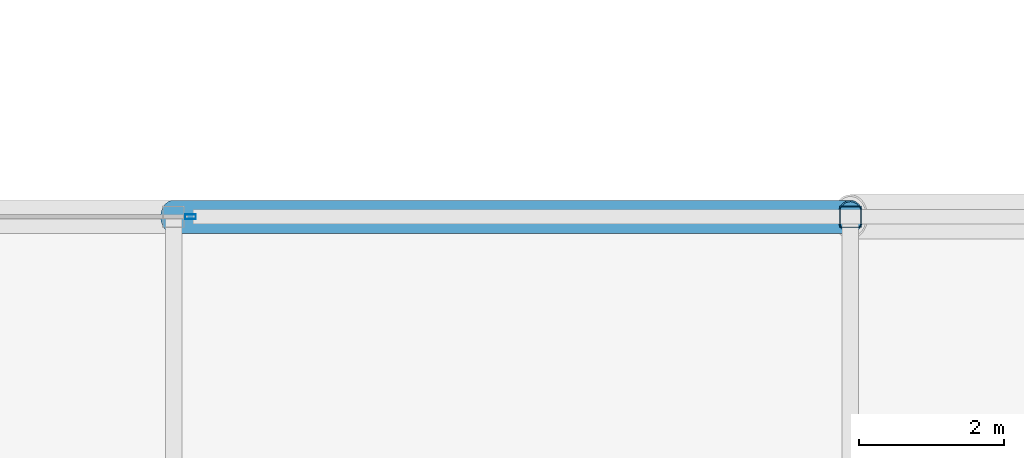
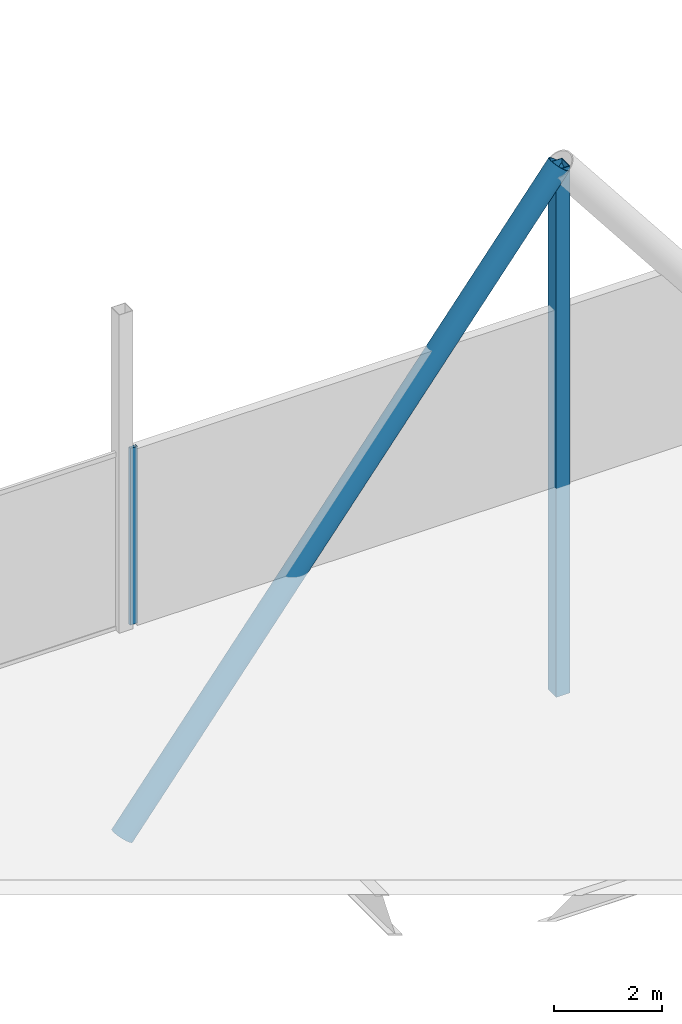
# One storey, part 25 of 53: 3 members, 1 element without a shape of its own.
"""IFC4 building model written with IfcOpenShell, lengths in metres."""

from ifc_helpers import new_model, si_unit, direction, frame, origin, origin_2d, place, context, subcontext, project, spatial, hollow_rectangle, hollow_circle, extrude, material, material_profile, profile_set, type_object, element, aggregate, save


model = new_model("IFC4")

# Units and contexts
model_context = context("Model", 3, precision=1e-05, world=origin(), true_north=direction((0.0, 1.0)))
body_context = subcontext(model_context, "Body", "Model", "MODEL_VIEW")
ifc_project = project(units=[si_unit("LENGTHUNIT", "METRE"), si_unit("AREAUNIT", "SQUARE_METRE"), si_unit("VOLUMEUNIT", "CUBIC_METRE"), si_unit("PLANEANGLEUNIT", "RADIAN"), si_unit("MASSUNIT", "GRAM", prefix="KILO")], contexts=[model_context])

# Site, building, storey
site_placement = place(None, origin())
site = spatial("IfcSite", under=ifc_project, at=site_placement, CompositionType="ELEMENT")
building_placement = place(site_placement, origin())
building = spatial("IfcBuilding", under=site, at=building_placement, Name="Tashvorn Skyway Center", CompositionType="ELEMENT")
storey_placement = place(building_placement, frame((0.0, 0.0, 255.39990234375)))
storey = spatial("IfcBuildingStorey", under=building, at=storey_placement, Name="L69", CompositionType="ELEMENT", Elevation=255.39990234375)

# Curtain wall, member
ifc_material_1 = material(Name="Thermally broken bronze-anodized aluminium 6063-T6", Category="aluminium")
curtain_wall_type = type_object("IfcCurtainWallType", Name="CW-CW-SKY", PredefinedType="NOTDEFINED", material=ifc_material_1)
curtain_wall_placement = place(storey_placement, origin())
curtain_wall = element("IfcCurtainWall", 1, at=curtain_wall_placement, inside=storey, type_object=curtain_wall_type, Name="Sky-Park L69 Bridge North Curtain Wall Glazing Group 1", PredefinedType="NOTDEFINED")
ifc_material_profile_1 = material_profile(ifc_material_1, hollow_rectangle(XDim=0.06494140625, YDim=0.14990234375, WallThickness=0.00390625, at=origin_2d()), Name="ALU-MULL-65x150")
ifc_profile_set_1 = profile_set([ifc_material_profile_1], Name="Thermally broken bronze-anodized aluminium 6063-T6")
member_type_1 = type_object("IfcMemberType", Name="CWM-CW-SKY", PredefinedType="MULLION", material=ifc_profile_set_1)
member_1_placement = place(storey_placement, frame((66.632568359375, 39.89990234375, 0.0), z_axis=(0.0, 0.0, 1.0), x_axis=(0.0, 1.0, 0.0)))
member_1 = element("IfcMember", 2, at=member_1_placement, type_object=member_type_1, Name="CW-SKY mullion 2", PredefinedType="MULLION", context=body_context, shape_type="SweptSolid", body=[
    extrude(hollow_rectangle(XDim=0.06494140625, YDim=0.14990234375, WallThickness=0.00390625, at=origin_2d()), origin(), (0.0, 0.0, 1.0), 4.0),
])
aggregate(curtain_wall, [member_1])

# Members
ifc_material_2 = material(Name="Steel ASTM A572 Grade 50", Category="steel")
ifc_material_profile_2 = material_profile(ifc_material_2, hollow_circle(Radius=0.228515625, WallThickness=0.02001953125, at=origin_2d()), Name="CHS457x20")
ifc_profile_set_2 = profile_set([ifc_material_profile_2], Name="Steel ASTM A572 Grade 50")
member_type_2 = type_object("IfcMemberType", Name="MEM-SP-DIA-457", PredefinedType="BRACE", material=ifc_profile_set_2)
member_2_placement = place(storey_placement, frame((66.39990234375, 39.89990234375, -4.725341796875), z_axis=(0.617186496438, 0.0, 0.786816896498), x_axis=(0.0, 1.0, 0.0)))
element("IfcMember", 3, at=member_2_placement, inside=storey, type_object=member_type_2, Name="Sky-Park Truss 2 Web Diagonal 07", PredefinedType="BRACE", context=body_context, shape_type="SweptSolid", body=[
    extrude(hollow_circle(Radius=0.228515625, WallThickness=0.02001953125, at=origin_2d()), origin(), (0.0, 0.0, 1.0), 15.149658203125),
])
ifc_material_profile_3 = material_profile(ifc_material_2, hollow_rectangle(XDim=0.300048828125, YDim=0.300048828125, WallThickness=0.012451171875, at=origin_2d()), Name="HSS300x300x12.5")
ifc_profile_set_3 = profile_set([ifc_material_profile_3], Name="Steel ASTM A572 Grade 50")
member_type_3 = type_object("IfcMemberType", Name="MEM-SP-PST-300", PredefinedType="POST", material=ifc_profile_set_3)
member_3_placement = place(storey_placement, frame((75.75, 39.89990234375, -4.725341796875), z_axis=(0.0, 0.0, 1.0), x_axis=(1.0, 0.0, 0.0)))
element("IfcMember", 4, at=member_3_placement, inside=storey, type_object=member_type_3, Name="Sky-Park Truss 2 Vertical Post 08", PredefinedType="POST", context=body_context, shape_type="SweptSolid", body=[
    extrude(hollow_rectangle(XDim=0.300048828125, YDim=0.300048828125, WallThickness=0.012451171875, at=origin_2d()), origin(), (0.0, 0.0, 1.0), 11.919921875),
])

save(model, "model.ifc")
